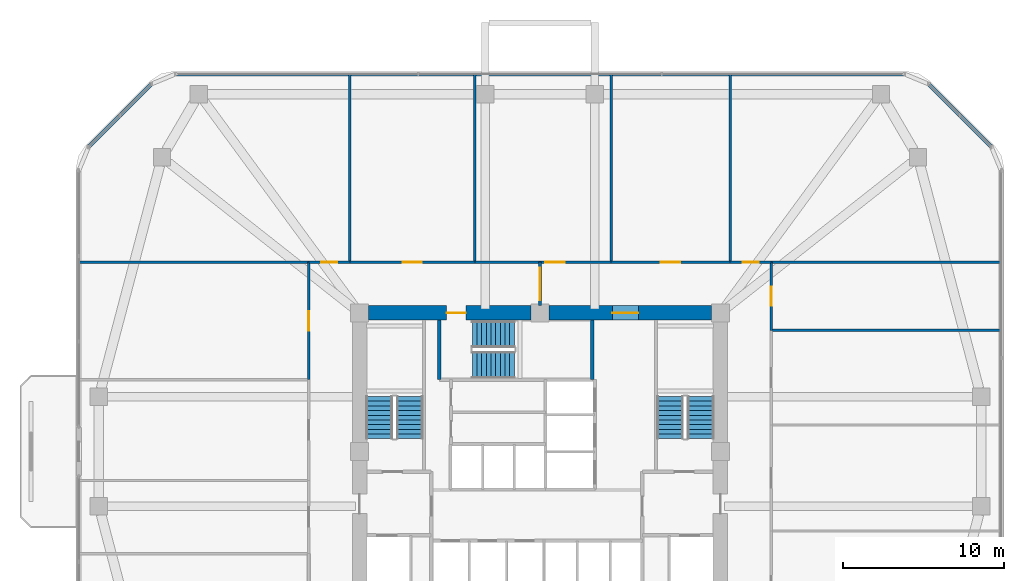
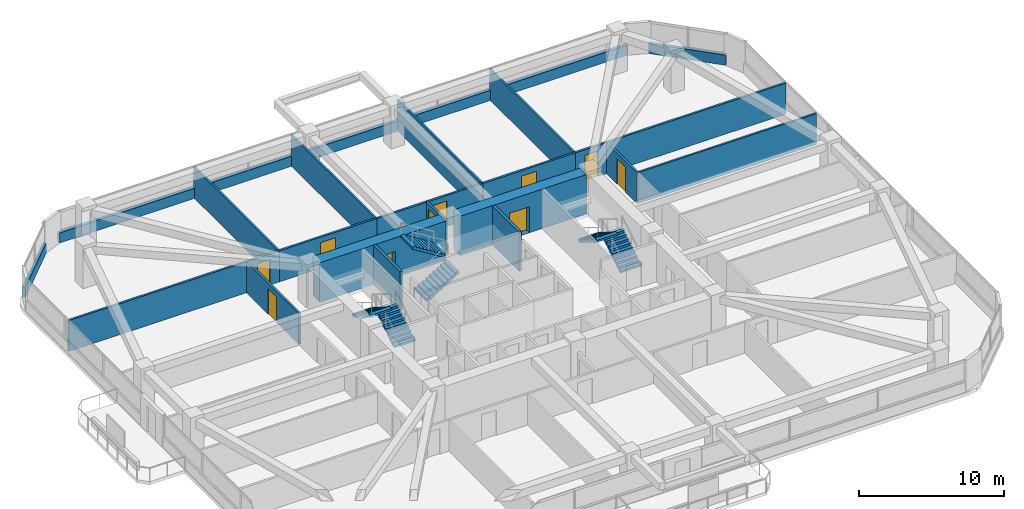
# One storey, part 11 of 13: 22 walls, 10 doors, 6 stair flights, 10 openings, 3 elements without a shape of their own.
"""IFC4 building model written with IfcOpenShell, lengths in metres."""

import ifcopenshell
import ifcopenshell.guid

model = None  # the IFC model being written
_history = None  # IfcOwnerHistory: only IFC2X3 demands one
_inside = {}  # id of a spatial element -> (the spatial element, [elements in it])
_under = {}  # id of a project, library or spatial element -> (it, [spatial elements below it])
_declared = {}  # id of a project -> (the project, [libraries it declares])
_typed = {}  # id of a type object -> (the type object, [elements of that type])
_made_of = {}  # id of a material, layer set ... -> (it, [elements and type objects made of it])


def new_model(schema):
    """Start an empty IFC model of exactly this schema.

    Asked for "IFC4X3", IfcOpenShell would pick the latest addendum, in which some entities
    have other attributes; the version numbers below select the first issue.
    IFC2X3 requires an IfcOwnerHistory on every rooted entity: one is made here for all.
    """
    global model, _history
    if schema == "IFC4X3":
        model = ifcopenshell.file(schema_version=(4, 3, 0, 0))
    else:
        model = ifcopenshell.file(schema=schema)
    _inside.clear()
    _under.clear()
    _declared.clear()
    _typed.clear()
    _made_of.clear()
    _history = None
    if model.schema == "IFC2X3":
        org = make("IfcOrganization", Name="unknown")
        user = make(
            "IfcPersonAndOrganization",
            ThePerson=make("IfcPerson", FamilyName="unknown"),
            TheOrganization=org,
        )
        app = make(
            "IfcApplication",
            ApplicationDeveloper=org,
            Version="unknown",
            ApplicationFullName="unknown",
            ApplicationIdentifier="unknown",
        )
        _history = make(
            "IfcOwnerHistory",
            OwningUser=user,
            OwningApplication=app,
            ChangeAction="ADDED",
            CreationDate=0,
        )
    return model


def make(cls, **values):
    """One entity of the class cls with the attributes given. An attribute that is None is left unset."""
    return model.create_entity(
        cls, **{name: value for name, value in values.items() if value is not None}
    )


def rooted(cls, **values):
    """An entity with a GlobalId (a new one), such as an element, a storey or a relation."""
    return make(cls, GlobalId=ifcopenshell.guid.new(), OwnerHistory=_history, **values)


def si_unit(unit_type, name, prefix=None):
    """IfcSIUnit, for example si_unit("LENGTHUNIT", "METRE", prefix="MILLI")."""
    return make("IfcSIUnit", UnitType=unit_type, Prefix=prefix, Name=name)


def derived_unit(unit_type, elements):
    """IfcDerivedUnit: a product of units, each with its exponent."""
    return make(
        "IfcDerivedUnit",
        Elements=[
            make("IfcDerivedUnitElement", Unit=unit, Exponent=power)
            for unit, power in elements
        ],
        UnitType=unit_type,
    )


def assignment(units):
    """IfcUnitAssignment: the units of a project."""
    return None if units is None else make("IfcUnitAssignment", Units=units)


def point(xyz):
    """IfcCartesianPoint."""
    return None if xyz is None else make("IfcCartesianPoint", Coordinates=xyz)


def direction(xyz):
    """IfcDirection."""
    return None if xyz is None else make("IfcDirection", DirectionRatios=xyz)


def frame(location, z_axis=None, x_axis=None):
    """IfcAxis2Placement3D, a coordinate frame: its origin and axes. An axis left out is left unset."""
    return make(
        "IfcAxis2Placement3D",
        Location=point(location),
        Axis=direction(z_axis),
        RefDirection=direction(x_axis),
    )


def frame_2d(location, x_axis=None):
    """IfcAxis2Placement2D, a coordinate frame in the plane: its origin and x axis."""
    return make(
        "IfcAxis2Placement2D", Location=point(location), RefDirection=direction(x_axis)
    )


def origin():
    """The frame at (0, 0, 0) with its axes left unset."""
    return frame((0.0, 0.0, 0.0))


def place(relative_to, where):
    """IfcLocalPlacement: puts the frame where relative to a parent placement (None: the world)."""
    return make(
        "IfcLocalPlacement", PlacementRelTo=relative_to, RelativePlacement=where
    )


def context(
    kind, dimensions, precision=None, world=None, true_north=None, identifier=None
):
    """IfcGeometricRepresentationContext, for example the 3D "Model" context."""
    return make(
        "IfcGeometricRepresentationContext",
        ContextIdentifier=identifier,
        ContextType=kind,
        CoordinateSpaceDimension=dimensions,
        Precision=precision,
        WorldCoordinateSystem=world,
        TrueNorth=true_north,
    )


def subcontext(parent, identifier, kind, view, scale=None):
    """IfcGeometricRepresentationSubContext, for example "Body" below "Model"."""
    return make(
        "IfcGeometricRepresentationSubContext",
        ContextIdentifier=identifier,
        ContextType=kind,
        ParentContext=parent,
        TargetScale=scale,
        TargetView=view,
    )


def project(units=None, contexts=None):
    """IfcProject with its units and contexts."""
    return rooted(
        "IfcProject",
        Name="project",
        RepresentationContexts=contexts,
        UnitsInContext=assignment(units),
    )


def spatial(cls, under=None, at=None, **own):
    """A site, building, storey or space (cls), placed at a placement, below another one or the project."""
    s = rooted(cls, ObjectPlacement=at, **own)
    if under is not None:
        _under.setdefault(under.id(), (under, []))[1].append(s)
    return s


def polyline(points):
    """IfcPolyline through the points."""
    return make("IfcPolyline", Points=[point(p) for p in points])


def profile(cls, at=None, kind="AREA", **sizes):
    """A parametric profile (cls). Its sizes go by their IFC names, for example OverallWidth=200.0."""
    return make(cls, ProfileType=kind, Position=at, **sizes)


def rectangle(**sizes):
    """IfcRectangleProfileDef."""
    return profile("IfcRectangleProfileDef", **sizes)


def outline(outer, holes=None, kind="AREA"):
    """IfcArbitraryClosedProfileDef: a profile drawn as a closed curve; with holes, ...WithVoids."""
    if holes is None:
        return make("IfcArbitraryClosedProfileDef", ProfileType=kind, OuterCurve=outer)
    return make(
        "IfcArbitraryProfileDefWithVoids",
        ProfileType=kind,
        OuterCurve=outer,
        InnerCurves=holes,
    )


def extrude(swept, where, along, depth):
    """IfcExtrudedAreaSolid: the profile swept, set in the frame where, extruded along a direction by depth."""
    return make(
        "IfcExtrudedAreaSolid",
        SweptArea=swept,
        Position=where,
        ExtrudedDirection=direction(along),
        Depth=depth,
    )


def shape(context_of_items, identifier, shape_type, items):
    """IfcShapeRepresentation: the items that make up one representation, for example the "Body"."""
    return make(
        "IfcShapeRepresentation",
        ContextOfItems=context_of_items,
        RepresentationIdentifier=identifier,
        RepresentationType=shape_type,
        Items=items,
    )


def material(Name=None, Category=None):
    """IfcMaterial."""
    return make("IfcMaterial", Name=Name, Category=Category)


def layer(
    of_material, thickness, ventilated=None, Name=None, Category=None, Priority=None
):
    """IfcMaterialLayer: one layer of a wall or slab, of a material (None: an air gap)."""
    return make(
        "IfcMaterialLayer",
        Material=of_material,
        LayerThickness=thickness,
        IsVentilated=ventilated,
        Name=Name,
        Category=Category,
        Priority=Priority,
    )


def layer_set(layers, Name=None):
    """IfcMaterialLayerSet."""
    return make("IfcMaterialLayerSet", MaterialLayers=layers, LayerSetName=Name)


def made_of(thing, what):
    """Note that an element or type object is made of a material, layer set ...; save() writes the relation."""
    if what is not None:
        _made_of.setdefault(what.id(), (what, []))[1].append(thing)
    return thing


def type_object(cls, material=None, **own):
    """A type object (cls), such as IfcWallType, which elements share."""
    return made_of(rooted(cls, **own), material)


def element(
    cls,
    number,
    at=None,
    inside=None,
    cuts=None,
    type_object=None,
    material=None,
    context=None,
    identifier="Body",
    shape_type=None,
    held_by="IfcProductDefinitionShape",
    body=None,
    shapes=None,
    **own,
):
    """One element of the class cls, such as IfcWall. Its Tag is "e" and its number.

    at: its placement. inside: the storey or other place that contains it. cuts: it is an
    opening in that element (IfcRelVoidsElement). A single representation is given by context,
    identifier, shape_type and body (its items); several are given by shapes. held_by: the class
    of the entity that holds the representations. save() writes the other relations.
    """
    e = rooted(cls, Tag="e%d" % number, ObjectPlacement=at, **own)
    if body is not None:
        shapes = [shape(context, identifier, shape_type, body)]
    if shapes is not None:
        e.Representation = make(held_by, Representations=shapes)
    if inside is not None:
        _inside.setdefault(inside.id(), (inside, []))[1].append(e)
    if cuts is not None:
        rooted(
            "IfcRelVoidsElement", RelatingBuildingElement=cuts, RelatedOpeningElement=e
        )
    if type_object is not None:
        _typed.setdefault(type_object.id(), (type_object, []))[1].append(e)
    return made_of(e, material)


def fill(opening, filler):
    """IfcRelFillsElement: the door or window that sits in an opening."""
    return rooted(
        "IfcRelFillsElement",
        RelatingOpeningElement=opening,
        RelatedBuildingElement=filler,
    )


def aggregate(whole, parts):
    """IfcRelAggregates: a whole, such as a stair, and the parts it consists of."""
    return rooted("IfcRelAggregates", RelatingObject=whole, RelatedObjects=parts)


def save(model, path):
    """Write the relations noted so far, then the file.

    IfcRelAggregates (storeys below a building ...), IfcRelContainedInSpatialStructure (elements
    in a storey), IfcRelDefinesByType, IfcRelAssociatesMaterial and IfcRelDeclares: one each for
    every whole, place, type object, material and project.
    """
    for whole, parts in _under.values():
        aggregate(whole, parts)
    for where, things in _inside.values():
        rooted(
            "IfcRelContainedInSpatialStructure",
            RelatedElements=things,
            RelatingStructure=where,
        )
    for kind, things in _typed.values():
        rooted("IfcRelDefinesByType", RelatedObjects=things, RelatingType=kind)
    for what, things in _made_of.values():
        rooted("IfcRelAssociatesMaterial", RelatedObjects=things, RelatingMaterial=what)
    for by, libraries in _declared.values():
        rooted("IfcRelDeclares", RelatingContext=by, RelatedDefinitions=libraries)
    model.write(path)


model = new_model("IFC4")

# Units and contexts
model_context = context("Model", 3, precision=1e-05, world=origin(), true_north=direction((0.0, 1.0)))
body_context = subcontext(model_context, "Body", "Model", "MODEL_VIEW")
ifc_project = project(units=[si_unit("LENGTHUNIT", "METRE"), si_unit("AREAUNIT", "SQUARE_METRE"), si_unit("VOLUMEUNIT", "CUBIC_METRE"), si_unit("PLANEANGLEUNIT", "RADIAN"), si_unit("MASSUNIT", "GRAM", prefix="KILO"), derived_unit("THERMALTRANSMITTANCEUNIT", [(si_unit("POWERUNIT", "WATT"), 1), (si_unit("LENGTHUNIT", "METRE"), -2), (si_unit("THERMODYNAMICTEMPERATUREUNIT", "KELVIN"), -1)])], contexts=[model_context])

# Site, building, storey
site_placement = place(None, origin())
site = spatial("IfcSite", under=ifc_project, at=site_placement, CompositionType="ELEMENT")
building_placement = place(site_placement, origin())
building = spatial("IfcBuilding", under=site, at=building_placement, Name="Koralith Skygarden Medical Center", CompositionType="ELEMENT")
storey_placement = place(building_placement, frame((0.0, 0.0, 63.5400390625)))
storey = spatial("IfcBuildingStorey", under=building, at=storey_placement, Name="L16", CompositionType="ELEMENT", Elevation=63.5400390625)

# Walls
ifc_material_1 = material(Name="Gypsum Board Partition")
ifc_layer_1 = layer(ifc_material_1, 0.14990234375)
ifc_layer_set_1 = layer_set([ifc_layer_1], Name="Gypsum Board Partition")
wall_type_1 = type_object("IfcWallType", Name="Clinical Acoustic Partition 150", PredefinedType="PARTITIONING", material=ifc_layer_set_1)
for number, where, z_axis, x_axis, name in (
    (1, (25.199951171875, 37.64990234375, 0.0), (0.0, 0.0, 1.0), (0.0, 1.0, 0.0), "L16 Clinical Acoustic Partition 150 W-PART-L16-N-01"),
    (2, (32.950927734375, 37.64990234375, 0.0), (0.0, 0.0, 1.0), (0.0, 1.0, 0.0), "L16 Clinical Acoustic Partition 150 W-PART-L16-N-02"),
    (3, (41.4130859375, 37.64990234375, 0.0), (0.0, 0.0, 1.0), (0.0, 1.0, 0.0), "L16 Clinical Acoustic Partition 150 W-PART-L16-N-03"),
    (4, (48.800048828125, 37.64990234375, 0.0), (0.0, 0.0, 1.0), (0.0, 1.0, 0.0), "L16 Clinical Acoustic Partition 150 W-PART-L16-N-04"),
):
    element("IfcWall", number, at=place(storey_placement, frame(where, z_axis=z_axis, x_axis=x_axis)), inside=storey, type_object=wall_type_1, Name=name, PredefinedType="PARTITIONING", context=body_context, shape_type="SweptSolid", body=[
        extrude(rectangle(XDim=11.650146484375, YDim=0.14990234375, at=frame_2d((5.8251953125, 0.0))), origin(), (0.0, 0.0, 1.0), 2.60986328125),
    ])
wall_1_placement = place(storey_placement, frame((51.35009765625, 33.419921875, 0.0), z_axis=(0.0, 0.0, 1.0), x_axis=(1.0, 0.0, 0.0)))
element("IfcWall", 5, at=wall_1_placement, inside=storey, type_object=wall_type_1, Name="L16 Clinical Acoustic Partition 150 W-PART-L16-E-03", PredefinedType="PARTITIONING", context=body_context, shape_type="SweptSolid", body=[
    extrude(rectangle(XDim=14.25, YDim=0.14990234375, at=frame_2d((7.125, 0.0))), origin(), (0.0, 0.0, 1.0), 2.60986328125),
])
ifc_layer_2 = layer(ifc_material_1, 0.1650390625)
ifc_layer_set_2 = layer_set([ifc_layer_2], Name="Gypsum Board Partition")
wall_type_2 = type_object("IfcWallType", Name="Clinical Corridor Partition 165", PredefinedType="PARTITIONING", material=ifc_layer_set_2)
for number, where, z_axis, x_axis, name in (
    (6, (8.39990234375, 37.64990234375, 0.0), (0.0, 0.0, 1.0), (1.0, 0.0, 0.0), "L16 Clinical Corridor Partition 165 W-WB-L16-NW"),
    (7, (51.35009765625, 37.64990234375, 0.0), (0.0, 0.0, 1.0), (1.0, 0.0, 0.0), "L16 Clinical Corridor Partition 165 W-WB-L16-NE"),
):
    element("IfcWall", number, at=place(storey_placement, frame(where, z_axis=z_axis, x_axis=x_axis)), inside=storey, type_object=wall_type_2, Name=name, PredefinedType="PARTITIONING", context=body_context, shape_type="SweptSolid", body=[
        extrude(rectangle(XDim=14.25, YDim=0.1650390625, at=frame_2d((7.125, 0.0))), origin(), (0.0, 0.0, 1.0), 2.60986328125),
    ])

# Wall, opening, door
wall_2_placement = place(storey_placement, frame((22.64990234375, 37.64990234375, 0.0), z_axis=(0.0, 0.0, 1.0), x_axis=(1.0, 0.0, 0.0)))
wall_2 = element("IfcWall", 8, at=wall_2_placement, inside=storey, type_object=wall_type_2, Name="L16 Clinical Corridor Partition 165 W-CORR-L16-N-01", PredefinedType="PARTITIONING", context=body_context, shape_type="SweptSolid", body=[
    extrude(rectangle(XDim=2.550048828125, YDim=0.1650390625, at=frame_2d((1.27490234375, 0.0))), origin(), (0.0, 0.0, 1.0), 2.60986328125),
])
opening_1_placement = place(wall_2_placement, frame((0.77490234375, 0.0, 0.0)))
opening_1 = element("IfcOpeningElement", 9, at=opening_1_placement, cuts=wall_2, Name="Opening D-SUP", PredefinedType="OPENING", context=body_context, shape_type="SweptSolid", body=[
    extrude(rectangle(XDim=1.0, YDim=2.14990234375, at=frame_2d((0.5, 1.074951171875))), frame((0.0, 0.092529296875, 0.0), z_axis=(0.0, -1.0, 0.0), x_axis=(1.0, 0.0, 0.0)), (0.0, 0.0, 1.0), 0.18505859375),
])
ifc_material_2 = material(Name="Aluminium 6063-T6", Category="aluminium")
door_type_1 = type_object("IfcDoorType", Name="Clinical Support Door D-SUP 1000", OperationType="NOTDEFINED", PredefinedType="DOOR", material=ifc_material_2)
door_1_placement = place(opening_1_placement, origin())
door_1 = element("IfcDoor", 10, at=door_1_placement, inside=storey, type_object=door_type_1, Name="L16 Neurology Consultation Office 01 Door", OperationType="SINGLE_SWING_RIGHT", OverallHeight=2.14990234375, OverallWidth=1.0, PredefinedType="DOOR", context=body_context, shape_type="SweptSolid", body=[
    extrude(rectangle(XDim=1.0, YDim=2.14990234375, at=frame_2d((0.5, 1.074951171875))), frame((0.0, 0.02490234375, 0.0), z_axis=(0.0, -1.0, 0.0), x_axis=(1.0, 0.0, 0.0)), (0.0, 0.0, 1.0), 0.050048828125),
])
fill(opening_1, door_1)

wall_3_placement = place(storey_placement, frame((25.199951171875, 37.64990234375, 0.0), z_axis=(0.0, 0.0, 1.0), x_axis=(1.0, 0.0, 0.0)))
wall_3 = element("IfcWall", 11, at=wall_3_placement, inside=storey, type_object=wall_type_2, Name="L16 Clinical Corridor Partition 165 W-CORR-L16-N-02", PredefinedType="PARTITIONING", context=body_context, shape_type="SweptSolid", body=[
    extrude(rectangle(XDim=7.7509765625, YDim=0.1650390625, at=frame_2d((3.87548828125, 0.0))), origin(), (0.0, 0.0, 1.0), 2.60986328125),
])
opening_2_placement = place(wall_3_placement, frame((3.27587890625, 0.0, 0.0)))
opening_2 = element("IfcOpeningElement", 12, at=opening_2_placement, cuts=wall_3, Name="Opening D-CLN", PredefinedType="OPENING", context=body_context, shape_type="SweptSolid", body=[
    extrude(rectangle(XDim=1.199951171875, YDim=2.14990234375, at=frame_2d((0.60009765625, 1.074951171875))), frame((0.0, 0.092529296875, 0.0), z_axis=(0.0, -1.0, 0.0), x_axis=(1.0, 0.0, 0.0)), (0.0, 0.0, 1.0), 0.18505859375),
])
door_type_2 = type_object("IfcDoorType", Name="Clinical Corridor Door D-CLN 1200", OperationType="NOTDEFINED", PredefinedType="DOOR", material=ifc_material_2)
door_2_placement = place(opening_2_placement, origin())
door_2 = element("IfcDoor", 13, at=door_2_placement, inside=storey, type_object=door_type_2, Name="L16 Electromyography Reading Office 02 Door", OperationType="SINGLE_SWING_LEFT", OverallHeight=2.14990234375, OverallWidth=1.199951171875, PredefinedType="DOOR", context=body_context, shape_type="SweptSolid", body=[
    extrude(rectangle(XDim=1.199951171875, YDim=2.14990234375, at=frame_2d((0.60009765625, 1.074951171875))), frame((0.0, 0.02490234375, 0.0), z_axis=(0.0, -1.0, 0.0), x_axis=(1.0, 0.0, 0.0)), (0.0, 0.0, 1.0), 0.050048828125),
])
fill(opening_2, door_2)

wall_4_placement = place(storey_placement, frame((32.950927734375, 37.64990234375, 0.0), z_axis=(0.0, 0.0, 1.0), x_axis=(1.0, 0.0, 0.0)))
wall_4 = element("IfcWall", 14, at=wall_4_placement, inside=storey, type_object=wall_type_2, Name="L16 Clinical Corridor Partition 165 W-CORR-L16-N-03", PredefinedType="PARTITIONING", context=body_context, shape_type="SweptSolid", body=[
    extrude(rectangle(XDim=8.462158203125, YDim=0.1650390625, at=frame_2d((4.23095703125, 0.0))), origin(), (0.0, 0.0, 1.0), 2.60986328125),
])
opening_3_placement = place(wall_4_placement, frame((4.389892578125, 0.0, 0.0)))
opening_3 = element("IfcOpeningElement", 15, at=opening_3_placement, cuts=wall_4, Name="Opening D-CLN", PredefinedType="OPENING", context=body_context, shape_type="SweptSolid", body=[
    extrude(rectangle(XDim=1.199951171875, YDim=2.14990234375, at=frame_2d((0.60009765625, 1.074951171875))), frame((0.0, 0.092529296875, 0.0), z_axis=(0.0, -1.0, 0.0), x_axis=(1.0, 0.0, 0.0)), (0.0, 0.0, 1.0), 0.18505859375),
])
door_3_placement = place(opening_3_placement, origin())
door_3 = element("IfcDoor", 16, at=door_3_placement, inside=storey, type_object=door_type_2, Name="L16 Neuropsychology Testing Office 03 Door", OperationType="SINGLE_SWING_RIGHT", OverallHeight=2.14990234375, OverallWidth=1.199951171875, PredefinedType="DOOR", context=body_context, shape_type="SweptSolid", body=[
    extrude(rectangle(XDim=1.199951171875, YDim=2.14990234375, at=frame_2d((0.60009765625, 1.074951171875))), frame((0.0, 0.02490234375, 0.0), z_axis=(0.0, -1.0, 0.0), x_axis=(1.0, 0.0, 0.0)), (0.0, 0.0, 1.0), 0.050048828125),
])
fill(opening_3, door_3)

wall_5_placement = place(storey_placement, frame((41.4130859375, 37.64990234375, 0.0), z_axis=(0.0, 0.0, 1.0), x_axis=(1.0, 0.0, 0.0)))
wall_5 = element("IfcWall", 17, at=wall_5_placement, inside=storey, type_object=wall_type_2, Name="L16 Clinical Corridor Partition 165 W-CORR-L16-N-04", PredefinedType="PARTITIONING", context=body_context, shape_type="SweptSolid", body=[
    extrude(rectangle(XDim=7.386962890625, YDim=0.1650390625, at=frame_2d((3.693359375, 0.0))), origin(), (0.0, 0.0, 1.0), 2.60986328125),
])
opening_4_placement = place(wall_5_placement, frame((3.093994140625, 0.0, 0.0)))
opening_4 = element("IfcOpeningElement", 18, at=opening_4_placement, cuts=wall_5, Name="Opening D-CLN", PredefinedType="OPENING", context=body_context, shape_type="SweptSolid", body=[
    extrude(rectangle(XDim=1.199951171875, YDim=2.14990234375, at=frame_2d((0.60009765625, 1.074951171875))), frame((0.0, 0.092529296875, 0.0), z_axis=(0.0, -1.0, 0.0), x_axis=(1.0, 0.0, 0.0)), (0.0, 0.0, 1.0), 0.18505859375),
])
door_4_placement = place(opening_4_placement, origin())
door_4 = element("IfcDoor", 19, at=door_4_placement, inside=storey, type_object=door_type_2, Name="L16 Medical Device Alcove Store 04 Door", OperationType="SINGLE_SWING_LEFT", OverallHeight=2.14990234375, OverallWidth=1.199951171875, PredefinedType="DOOR", context=body_context, shape_type="SweptSolid", body=[
    extrude(rectangle(XDim=1.199951171875, YDim=2.14990234375, at=frame_2d((0.60009765625, 1.074951171875))), frame((0.0, 0.02490234375, 0.0), z_axis=(0.0, -1.0, 0.0), x_axis=(1.0, 0.0, 0.0)), (0.0, 0.0, 1.0), 0.050048828125),
])
fill(opening_4, door_4)

wall_6_placement = place(storey_placement, frame((48.800048828125, 37.64990234375, 0.0), z_axis=(0.0, 0.0, 1.0), x_axis=(1.0, 0.0, 0.0)))
wall_6 = element("IfcWall", 20, at=wall_6_placement, inside=storey, type_object=wall_type_2, Name="L16 Clinical Corridor Partition 165 W-CORR-L16-N-05", PredefinedType="PARTITIONING", context=body_context, shape_type="SweptSolid", body=[
    extrude(rectangle(XDim=2.550048828125, YDim=0.1650390625, at=frame_2d((1.27490234375, 0.0))), origin(), (0.0, 0.0, 1.0), 2.60986328125),
])
opening_5_placement = place(wall_6_placement, frame((0.77490234375, 0.0, 0.0)))
opening_5 = element("IfcOpeningElement", 21, at=opening_5_placement, cuts=wall_6, Name="Opening D-SUP", PredefinedType="OPENING", context=body_context, shape_type="SweptSolid", body=[
    extrude(rectangle(XDim=1.0, YDim=2.14990234375, at=frame_2d((0.5, 1.074951171875))), frame((0.0, 0.092529296875, 0.0), z_axis=(0.0, -1.0, 0.0), x_axis=(1.0, 0.0, 0.0)), (0.0, 0.0, 1.0), 0.18505859375),
])
door_5_placement = place(opening_5_placement, origin())
door_5 = element("IfcDoor", 22, at=door_5_placement, inside=storey, type_object=door_type_1, Name="L16 Neurology Consultation Office 05 Door", OperationType="SINGLE_SWING_RIGHT", OverallHeight=2.14990234375, OverallWidth=1.0, PredefinedType="DOOR", context=body_context, shape_type="SweptSolid", body=[
    extrude(rectangle(XDim=1.0, YDim=2.14990234375, at=frame_2d((0.5, 1.074951171875))), frame((0.0, 0.02490234375, 0.0), z_axis=(0.0, -1.0, 0.0), x_axis=(1.0, 0.0, 0.0)), (0.0, 0.0, 1.0), 0.050048828125),
])
fill(opening_5, door_5)

wall_7_placement = place(storey_placement, frame((22.64990234375, 30.364990234375, 0.0), z_axis=(0.0, 0.0, 1.0), x_axis=(0.0, 1.0, 0.0)))
wall_7 = element("IfcWall", 23, at=wall_7_placement, inside=storey, type_object=wall_type_2, Name="L16 Clinical Corridor Partition 165 W-CORR-L16-W-04", PredefinedType="PARTITIONING", context=body_context, shape_type="SweptSolid", body=[
    extrude(rectangle(XDim=7.284912109375, YDim=0.1650390625, at=frame_2d((3.642578125, 0.0))), origin(), (0.0, 0.0, 1.0), 2.60986328125),
])
opening_6_placement = place(wall_7_placement, frame((3.0419921875, 0.0, 0.0)))
opening_6 = element("IfcOpeningElement", 24, at=opening_6_placement, cuts=wall_7, Name="Opening D-CLN", PredefinedType="OPENING", context=body_context, shape_type="SweptSolid", body=[
    extrude(rectangle(XDim=1.199951171875, YDim=2.14990234375, at=frame_2d((0.60009765625, 1.074951171875))), frame((0.0, 0.092529296875, 0.0), z_axis=(0.0, -1.0, 0.0), x_axis=(1.0, 0.0, 0.0)), (0.0, 0.0, 1.0), 0.18505859375),
])
door_6_placement = place(opening_6_placement, frame((1.199951171875, 0.0, 0.0), z_axis=(0.0, 0.0, 1.0), x_axis=(-1.0, 0.0, 0.0)))
door_6 = element("IfcDoor", 25, at=door_6_placement, inside=storey, type_object=door_type_2, Name="L16 Medical Device Alcove Store 14 Door", OperationType="SINGLE_SWING_LEFT", OverallHeight=2.14990234375, OverallWidth=1.199951171875, PredefinedType="DOOR", context=body_context, shape_type="SweptSolid", body=[
    extrude(rectangle(XDim=1.199951171875, YDim=2.14990234375, at=frame_2d((0.60009765625, 1.074951171875))), frame((0.0, 0.02490234375, 0.0), z_axis=(0.0, -1.0, 0.0), x_axis=(1.0, 0.0, 0.0)), (0.0, 0.0, 1.0), 0.050048828125),
])
fill(opening_6, door_6)

wall_8_placement = place(storey_placement, frame((51.35009765625, 33.419921875, 0.0), z_axis=(0.0, 0.0, 1.0), x_axis=(0.0, 1.0, 0.0)))
wall_8 = element("IfcWall", 26, at=wall_8_placement, inside=storey, type_object=wall_type_2, Name="L16 Clinical Corridor Partition 165 W-CORR-L16-E-04", PredefinedType="PARTITIONING", context=body_context, shape_type="SweptSolid", body=[
    extrude(rectangle(XDim=4.22998046875, YDim=0.1650390625, at=frame_2d((2.114990234375, 0.0))), origin(), (0.0, 0.0, 1.0), 2.60986328125),
])
opening_7_placement = place(wall_8_placement, frame((1.514892578125, 0.0, 0.0)))
opening_7 = element("IfcOpeningElement", 27, at=opening_7_placement, cuts=wall_8, Name="Opening D-CLN", PredefinedType="OPENING", context=body_context, shape_type="SweptSolid", body=[
    extrude(rectangle(XDim=1.199951171875, YDim=2.14990234375, at=frame_2d((0.60009765625, 1.074951171875))), frame((0.0, 0.092529296875, 0.0), z_axis=(0.0, -1.0, 0.0), x_axis=(1.0, 0.0, 0.0)), (0.0, 0.0, 1.0), 0.18505859375),
])
door_7_placement = place(opening_7_placement, origin())
door_7 = element("IfcDoor", 28, at=door_7_placement, inside=storey, type_object=door_type_2, Name="L16 Medical Device Alcove Store 18 Door", OperationType="SINGLE_SWING_LEFT", OverallHeight=2.14990234375, OverallWidth=1.199951171875, PredefinedType="DOOR", context=body_context, shape_type="SweptSolid", body=[
    extrude(rectangle(XDim=1.199951171875, YDim=2.14990234375, at=frame_2d((0.60009765625, 1.074951171875))), frame((0.0, 0.02490234375, 0.0), z_axis=(0.0, -1.0, 0.0), x_axis=(1.0, 0.0, 0.0)), (0.0, 0.0, 1.0), 0.050048828125),
])
fill(opening_7, door_7)

ifc_layer_3 = layer(ifc_material_1, 0.179931640625)
ifc_layer_set_3 = layer_set([ifc_layer_3], Name="Gypsum Board Partition")
wall_type_3 = type_object("IfcWallType", Name="Group I-2 Smoke Barrier Wall 180", PredefinedType="PARTITIONING", material=ifc_layer_set_3)
wall_9_placement = place(storey_placement, frame((37.0, 34.949951171875, 0.0), z_axis=(0.0, 0.0, 1.0), x_axis=(0.0, 1.0, 0.0)))
wall_9 = element("IfcWall", 29, at=wall_9_placement, inside=storey, type_object=wall_type_3, Name="L16 Group I-2 Smoke Barrier Wall 180 W-SMK-L16-N", PredefinedType="PARTITIONING", context=body_context, shape_type="SweptSolid", body=[
    extrude(rectangle(XDim=2.699951171875, YDim=0.179931640625, at=frame_2d((1.35009765625, 0.0))), origin(), (0.0, 0.0, 1.0), 2.60986328125),
])
opening_8_placement = place(wall_9_placement, frame((0.35009765625, 0.0, 0.0)))
opening_8 = element("IfcOpeningElement", 30, at=opening_8_placement, cuts=wall_9, Name="Opening D-SMK", PredefinedType="OPENING", context=body_context, shape_type="SweptSolid", body=[
    extrude(rectangle(XDim=2.0, YDim=2.199951171875, at=frame_2d((1.0, 1.10009765625))), frame((0.0, 0.099853515625, 0.0), z_axis=(0.0, -1.0, 0.0), x_axis=(1.0, 0.0, 0.0)), (0.0, 0.0, 1.0), 0.199951171875),
])
ifc_material_3 = material(Name="Steel ASTM A500 Grade C", Category="steel")
door_type_3 = type_object("IfcDoorType", Name="Cross-Corridor Double Smoke Door FD60S 2000", OperationType="NOTDEFINED", PredefinedType="DOOR", material=ifc_material_3)
door_8_placement = place(opening_8_placement, origin())
door_8 = element("IfcDoor", 31, at=door_8_placement, inside=storey, type_object=door_type_3, Name="L16 N Smoke Compartment Cross-Corridor Door", OperationType="DOUBLE_DOOR_SINGLE_SWING", OverallHeight=2.199951171875, OverallWidth=2.0, PredefinedType="DOOR", context=body_context, shape_type="SweptSolid", body=[
    extrude(rectangle(XDim=2.0, YDim=2.199951171875, at=frame_2d((1.0, 1.10009765625))), frame((0.0, 0.02490234375, 0.0), z_axis=(0.0, -1.0, 0.0), x_axis=(1.0, 0.0, 0.0)), (0.0, 0.0, 1.0), 0.050048828125),
])
fill(opening_8, door_8)

# Walls
ifc_material_4 = material(Name="Warm Oolitic Limestone Cladding", Category="masonry")
ifc_layer_4 = layer(ifc_material_4, 0.239990234375)
ifc_layer_set_4 = layer_set([ifc_layer_4], Name="Warm Oolitic Limestone Cladding")
wall_type_4 = type_object("IfcWallType", Name="Limestone Spandrel Sill Backup Wall 240", PredefinedType="SOLIDWALL", material=ifc_layer_set_4)
wall_10_placement = place(storey_placement, frame((65.01904296875, 44.7958984375, 0.0), z_axis=(0.0, 0.0, 1.0), x_axis=(-0.707106781187, 0.707106781187, 0.0)))
element("IfcWall", 32, at=wall_10_placement, inside=storey, type_object=wall_type_4, Name="L16 Sill Spandrel NE", PredefinedType="SOLIDWALL", context=body_context, shape_type="SweptSolid", body=[
    extrude(rectangle(XDim=5.548095703125, YDim=0.239990234375, at=frame_2d((2.77392578125, 0.0))), origin(), (0.0, 0.0, 1.0), 0.849853515625),
])
wall_11_placement = place(storey_placement, frame((59.64501953125, 49.320068359375, 0.0), z_axis=(0.0, 0.0, 1.0), x_axis=(-1.0, 0.0, 0.0)))
element("IfcWall", 33, at=wall_11_placement, inside=storey, type_object=wall_type_4, Name="L16 Sill Spandrel N", PredefinedType="SOLIDWALL", context=body_context, shape_type="SweptSolid", body=[
    extrude(rectangle(XDim=45.2900390625, YDim=0.239990234375, at=frame_2d((22.64501953125, 0.0))), origin(), (0.0, 0.0, 1.0), 0.849853515625),
])
wall_12_placement = place(storey_placement, frame((12.904052734375, 48.718994140625, 0.0), z_axis=(0.0, 0.0, 1.0), x_axis=(-0.707106781187, -0.707106781187, 0.0)))
element("IfcWall", 34, at=wall_12_placement, inside=storey, type_object=wall_type_4, Name="L16 Sill Spandrel NW", PredefinedType="SOLIDWALL", context=body_context, shape_type="SweptSolid", body=[
    extrude(rectangle(XDim=5.548095703125, YDim=0.239990234375, at=frame_2d((2.77392578125, 0.0))), origin(), (0.0, 0.0, 1.0), 0.849853515625),
])

# Wall, opening, door
ifc_material_5 = material(Name="Concrete C70/85", Category="concrete")
ifc_layer_5 = layer(ifc_material_5, 0.89990234375)
ifc_layer_set_5 = layer_set([ifc_layer_5], Name="Concrete C70/85")
wall_type_5 = type_object("IfcWallType", Name="Lower Core Shear Wall 900", PredefinedType="SHEAR", material=ifc_layer_set_5)
wall_13_placement = place(storey_placement, frame((47.635009765625, 34.5, 0.0), z_axis=(0.0, 0.0, 1.0), x_axis=(-1.0, 0.0, 0.0)))
wall_13 = element("IfcWall", 35, at=wall_13_placement, inside=storey, type_object=wall_type_5, Name="L16 Core Shear Wall Segment 5", PredefinedType="SHEAR", context=body_context, shape_type="SweptSolid", body=[
    extrude(rectangle(XDim=10.070068359375, YDim=0.89990234375, at=frame_2d((5.03515625, 0.0))), origin(), (0.0, 0.0, 1.0), 3.320068359375),
])
opening_9_placement = place(wall_13_placement, frame((4.534912109375, 0.0, 0.0)))
opening_9 = element("IfcOpeningElement", 36, at=opening_9_placement, cuts=wall_13, Name="Opening D-DBL", PredefinedType="OPENING", context=body_context, shape_type="SweptSolid", body=[
    extrude(rectangle(XDim=1.60009765625, YDim=2.199951171875, at=frame_2d((0.800048828125, 1.10009765625))), frame((0.0, 0.4599609375, 0.0), z_axis=(0.0, -1.0, 0.0), x_axis=(1.0, 0.0, 0.0)), (0.0, 0.0, 1.0), 0.919921875),
])
door_type_4 = type_object("IfcDoorType", Name="Double Clinical Suite Door D-DBL 1600", OperationType="NOTDEFINED", PredefinedType="DOOR", material=ifc_material_2)
door_9_placement = place(opening_9_placement, frame((1.60009765625, 0.0, 0.0), z_axis=(0.0, 0.0, 1.0), x_axis=(-1.0, 0.0, 0.0)))
door_9 = element("IfcDoor", 37, at=door_9_placement, inside=storey, type_object=door_type_4, Name="L16 North-East Corridor to Elevator Lobby Door", OperationType="DOUBLE_DOOR_SINGLE_SWING", OverallHeight=2.199951171875, OverallWidth=1.60009765625, PredefinedType="DOOR", context=body_context, shape_type="SweptSolid", body=[
    extrude(rectangle(XDim=1.60009765625, YDim=2.199951171875, at=frame_2d((0.800048828125, 1.10009765625))), frame((0.0, 0.02490234375, 0.0), z_axis=(0.0, -1.0, 0.0), x_axis=(1.0, 0.0, 0.0)), (0.0, 0.0, 1.0), 0.050048828125),
])
fill(opening_9, door_9)

wall_14_placement = place(storey_placement, frame((36.43505859375, 34.5, 0.0), z_axis=(0.0, 0.0, 1.0), x_axis=(-1.0, 0.0, 0.0)))
wall_14 = element("IfcWall", 38, at=wall_14_placement, inside=storey, type_object=wall_type_5, Name="L16 Core Shear Wall Segment 6", PredefinedType="SHEAR", context=body_context, shape_type="SweptSolid", body=[
    extrude(rectangle(XDim=10.070068359375, YDim=0.89990234375, at=frame_2d((5.03515625, 0.0))), origin(), (0.0, 0.0, 1.0), 3.320068359375),
])
opening_10_placement = place(wall_14_placement, frame((4.034912109375, 0.0, 0.0)))
opening_10 = element("IfcOpeningElement", 39, at=opening_10_placement, cuts=wall_14, Name="Opening D-ST60", PredefinedType="OPENING", context=body_context, shape_type="SweptSolid", body=[
    extrude(rectangle(XDim=1.199951171875, YDim=2.14990234375, at=frame_2d((0.60009765625, 1.074951171875))), frame((0.0, 0.4599609375, 0.0), z_axis=(0.0, -1.0, 0.0), x_axis=(1.0, 0.0, 0.0)), (0.0, 0.0, 1.0), 0.919921875),
])
door_type_5 = type_object("IfcDoorType", Name="Smokeproof Stair Fire Door FD60S 1200", OperationType="NOTDEFINED", PredefinedType="DOOR", material=ifc_material_3)
door_10_placement = place(opening_10_placement, frame((1.199951171875, 0.0, 0.0), z_axis=(0.0, 0.0, 1.0), x_axis=(-1.0, 0.0, 0.0)))
door_10 = element("IfcDoor", 40, at=door_10_placement, inside=storey, type_object=door_type_5, Name="L16 Exit Stair ST3 Fire Door", OperationType="SINGLE_SWING_LEFT", OverallHeight=2.14990234375, OverallWidth=1.199951171875, PredefinedType="DOOR", context=body_context, shape_type="SweptSolid", body=[
    extrude(rectangle(XDim=1.199951171875, YDim=2.14990234375, at=frame_2d((0.60009765625, 1.074951171875))), frame((0.0, 0.02490234375, 0.0), z_axis=(0.0, -1.0, 0.0), x_axis=(1.0, 0.0, 0.0)), (0.0, 0.0, 1.0), 0.050048828125),
])
fill(opening_10, door_10)

# Walls
ifc_material_6 = material(Name="Concrete C45/55", Category="concrete")
ifc_layer_6 = layer(ifc_material_6, 0.199951171875)
ifc_layer_set_6 = layer_set([ifc_layer_6], Name="Concrete C45/55")
wall_type_6 = type_object("IfcWallType", Name="Structural Stair Shaft Wall 200", PredefinedType="SHEAR", material=ifc_layer_set_6)
for number, where, z_axis, x_axis, name in (
    (41, (30.75, 30.360107421875, 0.0), (0.0, 0.0, 1.0), (0.0, 1.0, 0.0), "L16 Structural Stair Shaft Wall 200 W-CORE-L16-ST3-W"),
    (42, (40.25, 30.360107421875, 0.0), (0.0, 0.0, 1.0), (0.0, 1.0, 0.0), "L16 Structural Stair Shaft Wall 200 W-CORE-L16-ST3-E"),
):
    element("IfcWall", number, at=place(storey_placement, frame(where, z_axis=z_axis, x_axis=x_axis)), inside=storey, type_object=wall_type_6, Name=name, PredefinedType="SHEAR", context=body_context, shape_type="SweptSolid", body=[
        extrude(rectangle(XDim=3.68994140625, YDim=0.199951171875, at=frame_2d((1.844970703125, 0.0))), origin(), (0.0, 0.0, 1.0), 3.320068359375),
    ])

# Stair, stair flights
stair_type = type_object("IfcStairType", Name="Core Exit Dogleg Concrete Stair", PredefinedType="HALF_TURN_STAIR", material=ifc_material_6)
stair_1_placement = place(storey_placement, origin())
stair_1 = element("IfcStair", 43, at=stair_1_placement, inside=storey, type_object=stair_type, Name="L16 Smokeproof Exit Stair ST1", PredefinedType="HALF_TURN_STAIR")
stair_flight_type = type_object("IfcStairFlightType", Name="Core Exit Concrete Stair Flight 1650", PredefinedType="STRAIGHT", material=ifc_material_6)
stair_flight_1_placement = place(storey_placement, frame((28.925048828125, 26.699951171875, 0.0), z_axis=(0.0, 0.0, 1.0), x_axis=(0.0, 1.0, 0.0)))
stair_flight_1 = element("IfcStairFlight", 44, at=stair_flight_1_placement, type_object=stair_flight_type, Name="ST1 flight 1", NumberOfRisers=10, NumberOfTreads=9, PredefinedType="STRAIGHT", RiserHeight=0.18, TreadLength=0.29, context=body_context, shape_type="SweptSolid", body=[
    extrude(outline(polyline([(0.0, 0.0), (0.0, 0.179931640625), (0.2900390625, 0.179931640625), (0.2900390625, 0.360107421875), (0.580078125, 0.360107421875), (0.580078125, 0.5400390625), (0.8701171875, 0.5400390625), (0.8701171875, 0.719970703125), (1.159912109375, 0.719970703125), (1.159912109375, 0.89990234375), (1.449951171875, 0.89990234375), (1.449951171875, 1.080078125), (1.739990234375, 1.080078125), (1.739990234375, 1.260009765625), (2.030029296875, 1.260009765625), (2.030029296875, 1.43994140625), (2.320068359375, 1.43994140625), (2.320068359375, 1.6201171875), (2.610107421875, 1.6201171875), (2.610107421875, 1.800048828125), (2.610107421875, 1.443603515625), (0.2841796875, 0.0), (0.0, 0.0)])), frame((0.0, 0.824951171875, 0.0), z_axis=(0.0, -1.0, 0.0), x_axis=(1.0, 0.0, 0.0)), (0.0, 0.0, 1.0), 1.64990234375),
])
stair_flight_2_placement = place(storey_placement, frame((27.02490234375, 29.31005859375, 1.800048828125), z_axis=(0.0, 0.0, 1.0), x_axis=(0.0, -1.0, 0.0)))
stair_flight_2 = element("IfcStairFlight", 45, at=stair_flight_2_placement, type_object=stair_flight_type, Name="ST1 flight 2", NumberOfRisers=10, NumberOfTreads=9, PredefinedType="STRAIGHT", RiserHeight=0.18, TreadLength=0.29, context=body_context, shape_type="SweptSolid", body=[
    extrude(outline(polyline([(0.0, 0.0), (0.0, 0.179931640625), (0.2900390625, 0.179931640625), (0.2900390625, 0.360107421875), (0.580078125, 0.360107421875), (0.580078125, 0.5400390625), (0.8701171875, 0.5400390625), (0.8701171875, 0.719970703125), (1.159912109375, 0.719970703125), (1.159912109375, 0.89990234375), (1.449951171875, 0.89990234375), (1.449951171875, 1.080078125), (1.739990234375, 1.080078125), (1.739990234375, 1.260009765625), (2.030029296875, 1.260009765625), (2.030029296875, 1.43994140625), (2.320068359375, 1.43994140625), (2.320068359375, 1.6201171875), (2.610107421875, 1.6201171875), (2.610107421875, 1.800048828125), (2.610107421875, 1.443603515625), (0.2841796875, 0.0), (0.0, 0.0)])), frame((0.0, 0.824951171875, 0.0), z_axis=(0.0, -1.0, 0.0), x_axis=(1.0, 0.0, 0.0)), (0.0, 0.0, 1.0), 1.64990234375),
])
aggregate(stair_1, [stair_flight_1, stair_flight_2])

stair_2_placement = place(storey_placement, origin())
stair_2 = element("IfcStair", 46, at=stair_2_placement, inside=storey, type_object=stair_type, Name="L16 Smokeproof Exit Stair ST2", PredefinedType="HALF_TURN_STAIR")
stair_flight_3_placement = place(storey_placement, frame((46.97509765625, 26.699951171875, 0.0), z_axis=(0.0, 0.0, 1.0), x_axis=(0.0, 1.0, 0.0)))
stair_flight_3 = element("IfcStairFlight", 47, at=stair_flight_3_placement, type_object=stair_flight_type, Name="ST2 flight 1", NumberOfRisers=10, NumberOfTreads=9, PredefinedType="STRAIGHT", RiserHeight=0.18, TreadLength=0.29, context=body_context, shape_type="SweptSolid", body=[
    extrude(outline(polyline([(0.0, 0.0), (0.0, 0.179931640625), (0.2900390625, 0.179931640625), (0.2900390625, 0.360107421875), (0.580078125, 0.360107421875), (0.580078125, 0.5400390625), (0.8701171875, 0.5400390625), (0.8701171875, 0.719970703125), (1.159912109375, 0.719970703125), (1.159912109375, 0.89990234375), (1.449951171875, 0.89990234375), (1.449951171875, 1.080078125), (1.739990234375, 1.080078125), (1.739990234375, 1.260009765625), (2.030029296875, 1.260009765625), (2.030029296875, 1.43994140625), (2.320068359375, 1.43994140625), (2.320068359375, 1.6201171875), (2.610107421875, 1.6201171875), (2.610107421875, 1.800048828125), (2.610107421875, 1.443603515625), (0.2841796875, 0.0), (0.0, 0.0)])), frame((0.0, 0.824951171875, 0.0), z_axis=(0.0, -1.0, 0.0), x_axis=(1.0, 0.0, 0.0)), (0.0, 0.0, 1.0), 1.64990234375),
])
stair_flight_4_placement = place(storey_placement, frame((45.074951171875, 29.31005859375, 1.800048828125), z_axis=(0.0, 0.0, 1.0), x_axis=(0.0, -1.0, 0.0)))
stair_flight_4 = element("IfcStairFlight", 48, at=stair_flight_4_placement, type_object=stair_flight_type, Name="ST2 flight 2", NumberOfRisers=10, NumberOfTreads=9, PredefinedType="STRAIGHT", RiserHeight=0.18, TreadLength=0.29, context=body_context, shape_type="SweptSolid", body=[
    extrude(outline(polyline([(0.0, 0.0), (0.0, 0.179931640625), (0.2900390625, 0.179931640625), (0.2900390625, 0.360107421875), (0.580078125, 0.360107421875), (0.580078125, 0.5400390625), (0.8701171875, 0.5400390625), (0.8701171875, 0.719970703125), (1.159912109375, 0.719970703125), (1.159912109375, 0.89990234375), (1.449951171875, 0.89990234375), (1.449951171875, 1.080078125), (1.739990234375, 1.080078125), (1.739990234375, 1.260009765625), (2.030029296875, 1.260009765625), (2.030029296875, 1.43994140625), (2.320068359375, 1.43994140625), (2.320068359375, 1.6201171875), (2.610107421875, 1.6201171875), (2.610107421875, 1.800048828125), (2.610107421875, 1.443603515625), (0.2841796875, 0.0), (0.0, 0.0)])), frame((0.0, 0.824951171875, 0.0), z_axis=(0.0, -1.0, 0.0), x_axis=(1.0, 0.0, 0.0)), (0.0, 0.0, 1.0), 1.64990234375),
])
aggregate(stair_2, [stair_flight_3, stair_flight_4])

stair_3_placement = place(storey_placement, origin())
stair_3 = element("IfcStair", 49, at=stair_3_placement, inside=storey, type_object=stair_type, Name="L16 Smokeproof Exit Stair ST3", PredefinedType="HALF_TURN_STAIR")
stair_flight_5_placement = place(storey_placement, frame((32.800048828125, 31.27490234375, 0.0), z_axis=(0.0, 0.0, 1.0), x_axis=(1.0, 0.0, 0.0)))
stair_flight_5 = element("IfcStairFlight", 50, at=stair_flight_5_placement, type_object=stair_flight_type, Name="ST3 flight 1", NumberOfRisers=10, NumberOfTreads=9, PredefinedType="STRAIGHT", RiserHeight=0.18, TreadLength=0.29, context=body_context, shape_type="SweptSolid", body=[
    extrude(outline(polyline([(0.0, 0.0), (0.0, 0.179931640625), (0.2900390625, 0.179931640625), (0.2900390625, 0.360107421875), (0.580078125, 0.360107421875), (0.580078125, 0.5400390625), (0.8701171875, 0.5400390625), (0.8701171875, 0.719970703125), (1.159912109375, 0.719970703125), (1.159912109375, 0.89990234375), (1.449951171875, 0.89990234375), (1.449951171875, 1.080078125), (1.739990234375, 1.080078125), (1.739990234375, 1.260009765625), (2.030029296875, 1.260009765625), (2.030029296875, 1.43994140625), (2.320068359375, 1.43994140625), (2.320068359375, 1.6201171875), (2.610107421875, 1.6201171875), (2.610107421875, 1.800048828125), (2.610107421875, 1.443603515625), (0.2841796875, 0.0), (0.0, 0.0)])), frame((0.0, 0.824951171875, 0.0), z_axis=(0.0, -1.0, 0.0), x_axis=(1.0, 0.0, 0.0)), (0.0, 0.0, 1.0), 1.64990234375),
])
stair_flight_6_placement = place(storey_placement, frame((35.409912109375, 33.175048828125, 1.800048828125), z_axis=(0.0, 0.0, 1.0), x_axis=(-1.0, 0.0, 0.0)))
stair_flight_6 = element("IfcStairFlight", 51, at=stair_flight_6_placement, type_object=stair_flight_type, Name="ST3 flight 2", NumberOfRisers=10, NumberOfTreads=9, PredefinedType="STRAIGHT", RiserHeight=0.18, TreadLength=0.29, context=body_context, shape_type="SweptSolid", body=[
    extrude(outline(polyline([(0.0, 0.0), (0.0, 0.179931640625), (0.2900390625, 0.179931640625), (0.2900390625, 0.360107421875), (0.580078125, 0.360107421875), (0.580078125, 0.5400390625), (0.8701171875, 0.5400390625), (0.8701171875, 0.719970703125), (1.159912109375, 0.719970703125), (1.159912109375, 0.89990234375), (1.449951171875, 0.89990234375), (1.449951171875, 1.080078125), (1.739990234375, 1.080078125), (1.739990234375, 1.260009765625), (2.030029296875, 1.260009765625), (2.030029296875, 1.43994140625), (2.320068359375, 1.43994140625), (2.320068359375, 1.6201171875), (2.610107421875, 1.6201171875), (2.610107421875, 1.800048828125), (2.610107421875, 1.443603515625), (0.2841796875, 0.0), (0.0, 0.0)])), frame((0.0, 0.824951171875, 0.0), z_axis=(0.0, -1.0, 0.0), x_axis=(1.0, 0.0, 0.0)), (0.0, 0.0, 1.0), 1.64990234375),
])
aggregate(stair_3, [stair_flight_5, stair_flight_6])

save(model, "model.ifc")
